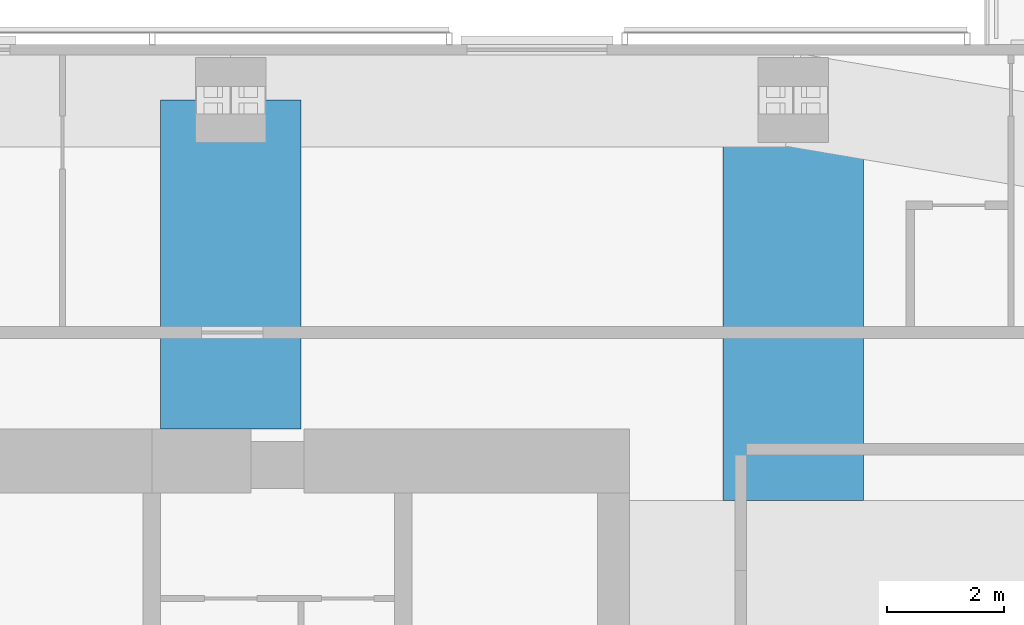
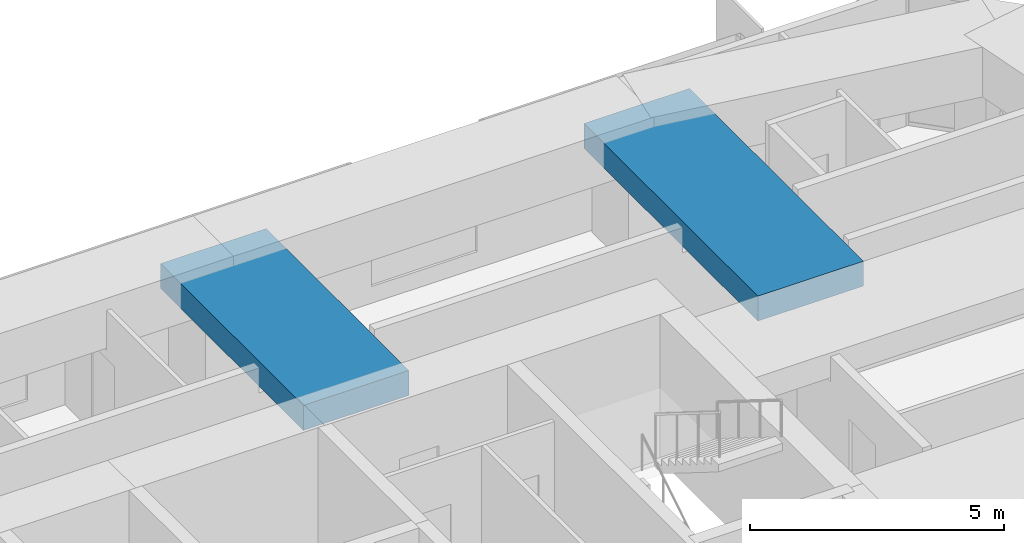
# One storey, part 6 of 18: 2 beams.
"""IFC4 building model written with IfcOpenShell, lengths in metres."""

from ifc_helpers import new_model, si_unit, direction, frame, origin, origin_2d, place, context, subcontext, project, spatial, rectangle, extrude, material, material_profile, profile_set, type_object, element, save


model = new_model("IFC4")

# Units and contexts
model_context = context("Model", 3, precision=1e-05, world=origin(), true_north=direction((0.0, 1.0)))
body_context = subcontext(model_context, "Body", "Model", "MODEL_VIEW")
ifc_project = project(units=[si_unit("LENGTHUNIT", "METRE"), si_unit("AREAUNIT", "SQUARE_METRE"), si_unit("VOLUMEUNIT", "CUBIC_METRE"), si_unit("PLANEANGLEUNIT", "RADIAN"), si_unit("MASSUNIT", "GRAM", prefix="KILO")], contexts=[model_context])

# Site, building, storey
site_placement = place(None, origin())
site = spatial("IfcSite", under=ifc_project, at=site_placement, CompositionType="ELEMENT")
building_placement = place(site_placement, origin())
building = spatial("IfcBuilding", under=site, at=building_placement, Name="Jalousie Tower", CompositionType="ELEMENT")
storey_placement = place(building_placement, frame((0.0, 0.0, 252.949951171875)))
storey = spatial("IfcBuildingStorey", under=building, at=storey_placement, Name="L69", CompositionType="ELEMENT", Elevation=252.949951171875)

# Beams
ifc_material = material(Name="Concrete f'c 40 MPa", Category="concrete")
ifc_material_profile = material_profile(ifc_material, rectangle(XDim=2.39990234375, YDim=0.60009765625, at=origin_2d()), Name="RC 2400x600")
ifc_profile_set = profile_set([ifc_material_profile], Name="Concrete f'c 40 MPa")
beam_type = type_object("IfcBeamType", Name="RC BEAM 2400x600", PredefinedType="BEAM", material=ifc_profile_set)
beam_1_placement = place(storey_placement, frame((37.25, 33.050048828125, 2.9599609375), z_axis=(0.0, -1.0, 0.0), x_axis=(1.0, 0.0, 0.0)))
element("IfcBeam", 1, at=beam_1_placement, inside=storey, type_object=beam_type, Name="Floor band beam under L70", PredefinedType="BEAM", context=body_context, shape_type="SweptSolid", body=[
    extrude(rectangle(XDim=2.39990234375, YDim=0.60009765625, at=origin_2d()), origin(), (0.0, 0.0, 1.0), 5.625),
])
beam_2_placement = place(storey_placement, frame((46.875, 33.050048828125, 2.9599609375), z_axis=(0.0, -1.0, 0.0), x_axis=(1.0, 0.0, 0.0)))
element("IfcBeam", 2, at=beam_2_placement, inside=storey, type_object=beam_type, Name="Floor band beam under L70", PredefinedType="BEAM", context=body_context, shape_type="SweptSolid", body=[
    extrude(rectangle(XDim=2.39990234375, YDim=0.60009765625, at=origin_2d()), origin(), (0.0, 0.0, 1.0), 6.85009765625),
])

save(model, "model.ifc")
